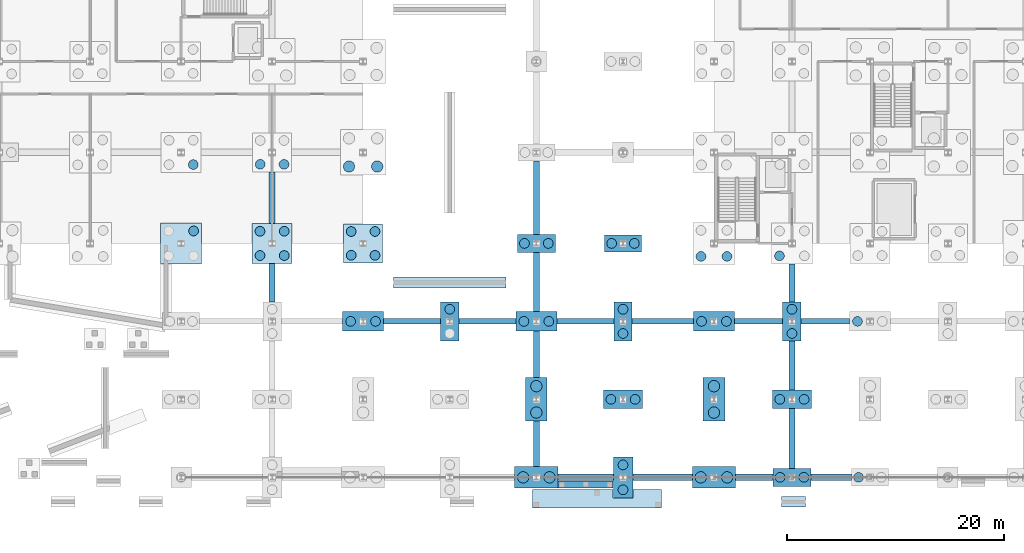
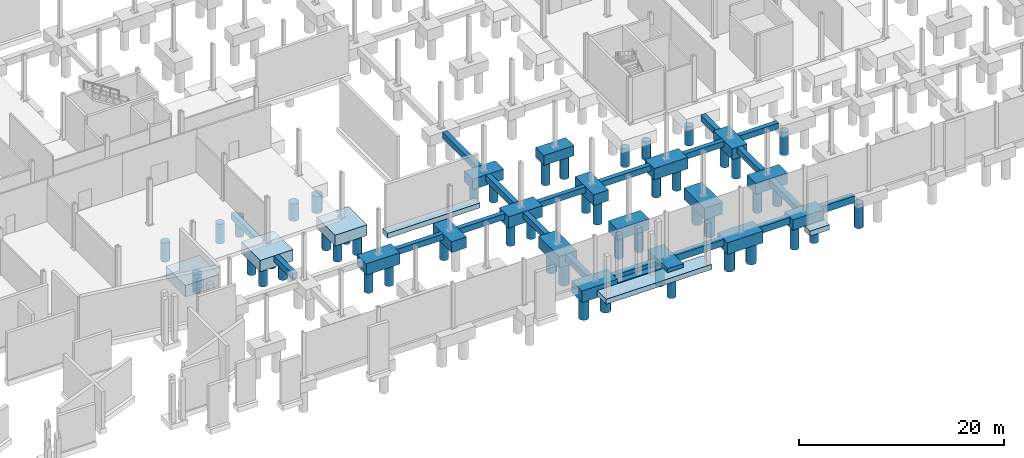
# One storey, part 4 of 61: 50 piles, 42 footings.
"""IFC4 building model written with IfcOpenShell, lengths in metres."""

import ifcopenshell
import ifcopenshell.guid

model = None  # the IFC model being written
_history = None  # IfcOwnerHistory: only IFC2X3 demands one
_inside = {}  # id of a spatial element -> (the spatial element, [elements in it])
_under = {}  # id of a project, library or spatial element -> (it, [spatial elements below it])
_declared = {}  # id of a project -> (the project, [libraries it declares])
_typed = {}  # id of a type object -> (the type object, [elements of that type])
_made_of = {}  # id of a material, layer set ... -> (it, [elements and type objects made of it])


def new_model(schema):
    """Start an empty IFC model of exactly this schema.

    Asked for "IFC4X3", IfcOpenShell would pick the latest addendum, in which some entities
    have other attributes; the version numbers below select the first issue.
    IFC2X3 requires an IfcOwnerHistory on every rooted entity: one is made here for all.
    """
    global model, _history
    if schema == "IFC4X3":
        model = ifcopenshell.file(schema_version=(4, 3, 0, 0))
    else:
        model = ifcopenshell.file(schema=schema)
    _inside.clear()
    _under.clear()
    _declared.clear()
    _typed.clear()
    _made_of.clear()
    _history = None
    if model.schema == "IFC2X3":
        org = make("IfcOrganization", Name="unknown")
        user = make(
            "IfcPersonAndOrganization",
            ThePerson=make("IfcPerson", FamilyName="unknown"),
            TheOrganization=org,
        )
        app = make(
            "IfcApplication",
            ApplicationDeveloper=org,
            Version="unknown",
            ApplicationFullName="unknown",
            ApplicationIdentifier="unknown",
        )
        _history = make(
            "IfcOwnerHistory",
            OwningUser=user,
            OwningApplication=app,
            ChangeAction="ADDED",
            CreationDate=0,
        )
    return model


def make(cls, **values):
    """One entity of the class cls with the attributes given. An attribute that is None is left unset."""
    return model.create_entity(
        cls, **{name: value for name, value in values.items() if value is not None}
    )


def rooted(cls, **values):
    """An entity with a GlobalId (a new one), such as an element, a storey or a relation."""
    return make(cls, GlobalId=ifcopenshell.guid.new(), OwnerHistory=_history, **values)


def si_unit(unit_type, name, prefix=None):
    """IfcSIUnit, for example si_unit("LENGTHUNIT", "METRE", prefix="MILLI")."""
    return make("IfcSIUnit", UnitType=unit_type, Prefix=prefix, Name=name)


def assignment(units):
    """IfcUnitAssignment: the units of a project."""
    return None if units is None else make("IfcUnitAssignment", Units=units)


def point(xyz):
    """IfcCartesianPoint."""
    return None if xyz is None else make("IfcCartesianPoint", Coordinates=xyz)


def direction(xyz):
    """IfcDirection."""
    return None if xyz is None else make("IfcDirection", DirectionRatios=xyz)


def frame(location, z_axis=None, x_axis=None):
    """IfcAxis2Placement3D, a coordinate frame: its origin and axes. An axis left out is left unset."""
    return make(
        "IfcAxis2Placement3D",
        Location=point(location),
        Axis=direction(z_axis),
        RefDirection=direction(x_axis),
    )


def frame_2d(location, x_axis=None):
    """IfcAxis2Placement2D, a coordinate frame in the plane: its origin and x axis."""
    return make(
        "IfcAxis2Placement2D", Location=point(location), RefDirection=direction(x_axis)
    )


def origin():
    """The frame at (0, 0, 0) with its axes left unset."""
    return frame((0.0, 0.0, 0.0))


def origin_2d():
    """The frame at (0, 0) in the plane with its x axis left unset."""
    return frame_2d((0.0, 0.0))


def place(relative_to, where):
    """IfcLocalPlacement: puts the frame where relative to a parent placement (None: the world)."""
    return make(
        "IfcLocalPlacement", PlacementRelTo=relative_to, RelativePlacement=where
    )


def context(
    kind, dimensions, precision=None, world=None, true_north=None, identifier=None
):
    """IfcGeometricRepresentationContext, for example the 3D "Model" context."""
    return make(
        "IfcGeometricRepresentationContext",
        ContextIdentifier=identifier,
        ContextType=kind,
        CoordinateSpaceDimension=dimensions,
        Precision=precision,
        WorldCoordinateSystem=world,
        TrueNorth=true_north,
    )


def subcontext(parent, identifier, kind, view, scale=None):
    """IfcGeometricRepresentationSubContext, for example "Body" below "Model"."""
    return make(
        "IfcGeometricRepresentationSubContext",
        ContextIdentifier=identifier,
        ContextType=kind,
        ParentContext=parent,
        TargetScale=scale,
        TargetView=view,
    )


def project(units=None, contexts=None):
    """IfcProject with its units and contexts."""
    return rooted(
        "IfcProject",
        Name="project",
        RepresentationContexts=contexts,
        UnitsInContext=assignment(units),
    )


def spatial(cls, under=None, at=None, **own):
    """A site, building, storey or space (cls), placed at a placement, below another one or the project."""
    s = rooted(cls, ObjectPlacement=at, **own)
    if under is not None:
        _under.setdefault(under.id(), (under, []))[1].append(s)
    return s


def polyline(points):
    """IfcPolyline through the points."""
    return make("IfcPolyline", Points=[point(p) for p in points])


def profile(cls, at=None, kind="AREA", **sizes):
    """A parametric profile (cls). Its sizes go by their IFC names, for example OverallWidth=200.0."""
    return make(cls, ProfileType=kind, Position=at, **sizes)


def rectangle(**sizes):
    """IfcRectangleProfileDef."""
    return profile("IfcRectangleProfileDef", **sizes)


def circle(**sizes):
    """IfcCircleProfileDef."""
    return profile("IfcCircleProfileDef", **sizes)


def outline(outer, holes=None, kind="AREA"):
    """IfcArbitraryClosedProfileDef: a profile drawn as a closed curve; with holes, ...WithVoids."""
    if holes is None:
        return make("IfcArbitraryClosedProfileDef", ProfileType=kind, OuterCurve=outer)
    return make(
        "IfcArbitraryProfileDefWithVoids",
        ProfileType=kind,
        OuterCurve=outer,
        InnerCurves=holes,
    )


def extrude(swept, where, along, depth):
    """IfcExtrudedAreaSolid: the profile swept, set in the frame where, extruded along a direction by depth."""
    return make(
        "IfcExtrudedAreaSolid",
        SweptArea=swept,
        Position=where,
        ExtrudedDirection=direction(along),
        Depth=depth,
    )


def shape(context_of_items, identifier, shape_type, items):
    """IfcShapeRepresentation: the items that make up one representation, for example the "Body"."""
    return make(
        "IfcShapeRepresentation",
        ContextOfItems=context_of_items,
        RepresentationIdentifier=identifier,
        RepresentationType=shape_type,
        Items=items,
    )


def material(Name=None, Category=None):
    """IfcMaterial."""
    return make("IfcMaterial", Name=Name, Category=Category)


def material_profile(
    of_material, cross_section, Name=None, Category=None, Priority=None
):
    """IfcMaterialProfile: a cross section and its material."""
    return make(
        "IfcMaterialProfile",
        Name=Name,
        Material=of_material,
        Profile=cross_section,
        Priority=Priority,
        Category=Category,
    )


def profile_set(profiles, Name=None, composite=None):
    """IfcMaterialProfileSet."""
    return make(
        "IfcMaterialProfileSet",
        Name=Name,
        MaterialProfiles=profiles,
        CompositeProfile=composite,
    )


def made_of(thing, what):
    """Note that an element or type object is made of a material, layer set ...; save() writes the relation."""
    if what is not None:
        _made_of.setdefault(what.id(), (what, []))[1].append(thing)
    return thing


def type_object(cls, material=None, **own):
    """A type object (cls), such as IfcWallType, which elements share."""
    return made_of(rooted(cls, **own), material)


def element(
    cls,
    number,
    at=None,
    inside=None,
    cuts=None,
    type_object=None,
    material=None,
    context=None,
    identifier="Body",
    shape_type=None,
    held_by="IfcProductDefinitionShape",
    body=None,
    shapes=None,
    **own,
):
    """One element of the class cls, such as IfcWall. Its Tag is "e" and its number.

    at: its placement. inside: the storey or other place that contains it. cuts: it is an
    opening in that element (IfcRelVoidsElement). A single representation is given by context,
    identifier, shape_type and body (its items); several are given by shapes. held_by: the class
    of the entity that holds the representations. save() writes the other relations.
    """
    e = rooted(cls, Tag="e%d" % number, ObjectPlacement=at, **own)
    if body is not None:
        shapes = [shape(context, identifier, shape_type, body)]
    if shapes is not None:
        e.Representation = make(held_by, Representations=shapes)
    if inside is not None:
        _inside.setdefault(inside.id(), (inside, []))[1].append(e)
    if cuts is not None:
        rooted(
            "IfcRelVoidsElement", RelatingBuildingElement=cuts, RelatedOpeningElement=e
        )
    if type_object is not None:
        _typed.setdefault(type_object.id(), (type_object, []))[1].append(e)
    return made_of(e, material)


def aggregate(whole, parts):
    """IfcRelAggregates: a whole, such as a stair, and the parts it consists of."""
    return rooted("IfcRelAggregates", RelatingObject=whole, RelatedObjects=parts)


def save(model, path):
    """Write the relations noted so far, then the file.

    IfcRelAggregates (storeys below a building ...), IfcRelContainedInSpatialStructure (elements
    in a storey), IfcRelDefinesByType, IfcRelAssociatesMaterial and IfcRelDeclares: one each for
    every whole, place, type object, material and project.
    """
    for whole, parts in _under.values():
        aggregate(whole, parts)
    for where, things in _inside.values():
        rooted(
            "IfcRelContainedInSpatialStructure",
            RelatedElements=things,
            RelatingStructure=where,
        )
    for kind, things in _typed.values():
        rooted("IfcRelDefinesByType", RelatedObjects=things, RelatingType=kind)
    for what, things in _made_of.values():
        rooted("IfcRelAssociatesMaterial", RelatedObjects=things, RelatingMaterial=what)
    for by, libraries in _declared.values():
        rooted("IfcRelDeclares", RelatingContext=by, RelatedDefinitions=libraries)
    model.write(path)


model = new_model("IFC4")

# Units and contexts
model_context = context("Model", 3, precision=1e-05, world=origin(), true_north=direction((0.0, 1.0)))
body_context = subcontext(model_context, "Body", "Model", "MODEL_VIEW")
ifc_project = project(units=[si_unit("LENGTHUNIT", "METRE"), si_unit("AREAUNIT", "SQUARE_METRE"), si_unit("VOLUMEUNIT", "CUBIC_METRE"), si_unit("PLANEANGLEUNIT", "RADIAN"), si_unit("MASSUNIT", "GRAM", prefix="KILO")], contexts=[model_context])

# Site, building, storey
site_placement = place(None, origin())
site = spatial("IfcSite", under=ifc_project, at=site_placement, CompositionType="ELEMENT")
building_placement = place(site_placement, origin())
building = spatial("IfcBuilding", under=site, at=building_placement, Name="Calvrana Isthmian Art Gallery", CompositionType="ELEMENT")
storey_placement = place(building_placement, frame((0.0, 0.0, -5.39990234375)))
storey = spatial("IfcBuildingStorey", under=building, at=storey_placement, Name="B1", CompositionType="ELEMENT", Elevation=-5.39990234375)

# Footings
ifc_material = material(Name="Concrete C35/45", Category="concrete")
footing_type_1 = type_object("IfcFootingType", Name="FT-PAD-APRON", PredefinedType="PAD_FOOTING", material=ifc_material)
footing_1_placement = place(storey_placement, frame((0.0, 0.0, -1.050048828125)))
element("IfcFooting", 1, at=footing_1_placement, inside=storey, type_object=footing_type_1, Name="Apron pad footing SLB_APR_SE_INNER", PredefinedType="PAD_FOOTING", context=body_context, shape_type="SweptSolid", body=[
    extrude(outline(polyline([(103.47998046875, -0.320068359375), (103.47998046875, -1.0), (98.419921875, -1.0), (98.419921875, -0.320068359375), (103.47998046875, -0.320068359375)])), origin(), (0.0, 0.0, 1.0), 0.599853515625),
])
footing_2_placement = place(storey_placement, frame((0.0, 0.0, -1.050048828125)))
element("IfcFooting", 2, at=footing_2_placement, inside=storey, type_object=footing_type_1, Name="Apron pad footing SLB_APR_SE_BENCH", PredefinedType="PAD_FOOTING", context=body_context, shape_type="SweptSolid", body=[
    extrude(outline(polyline([(107.949951171875, -1.10009765625), (107.949951171875, -2.85009765625), (96.050048828125, -2.85009765625), (96.050048828125, -1.10009765625), (103.47998046875, -1.10009765625), (103.47998046875, -1.919921875), (105.320068359375, -1.919921875), (105.320068359375, -1.10009765625), (107.949951171875, -1.10009765625)])), origin(), (0.0, 0.0, 1.0), 0.599853515625),
])
footing_type_2 = type_object("IfcFootingType", Name="FT-PC-170X360X130", PredefinedType="PILE_CAP", material=ifc_material)
for number, where, z_axis, x_axis, name in (
    (3, (88.39990234375, 14.39990234375, -1.30029296875), (0.0, 0.0, 1.0), (1.0, 0.0, 0.0), "Pile cap 12/C"),
    (4, (104.39990234375, 14.39990234375, -1.30029296875), (0.0, 0.0, 1.0), (1.0, 0.0, 0.0), "Pile cap 14/C"),
    (5, (120.0, 14.39990234375, -1.30029296875), (0.0, 0.0, 1.0), (1.0, 0.0, 0.0), "Pile cap 16/C"),
):
    element("IfcFooting", number, at=place(storey_placement, frame(where, z_axis=z_axis, x_axis=x_axis)), inside=storey, type_object=footing_type_2, Name=name, PredefinedType="PILE_CAP", context=body_context, shape_type="SweptSolid", body=[
        extrude(rectangle(XDim=1.699951171875, YDim=3.60009765625, at=origin_2d()), origin(), (0.0, 0.0, 1.0), 1.300048828125),
    ])
footing_type_3 = type_object("IfcFootingType", Name="FT-PC-180X380X135", PredefinedType="PILE_CAP", material=ifc_material)
footing_3_placement = place(storey_placement, frame((104.39990234375, 0.0, -1.35009765625), z_axis=(0.0, 0.0, 1.0), x_axis=(1.0, 0.0, 0.0)))
element("IfcFooting", 6, at=footing_3_placement, inside=storey, type_object=footing_type_3, Name="Pile cap 14/A", PredefinedType="PILE_CAP", context=body_context, shape_type="SweptSolid", body=[
    extrude(rectangle(XDim=1.800048828125, YDim=3.800048828125, at=origin_2d()), origin(), (0.0, 0.0, 1.0), 1.35009765625),
])
footing_type_4 = type_object("IfcFootingType", Name="FT-PC-200X400X140", PredefinedType="PILE_CAP", material=ifc_material)
for number, where, z_axis, x_axis, name in (
    (7, (96.39990234375, 7.199951171875, -1.400146484375), (0.0, 0.0, 1.0), (1.0, 0.0, 0.0), "Pile cap 13/B"),
    (8, (112.800048828125, 7.199951171875, -1.400146484375), (0.0, 0.0, 1.0), (1.0, 0.0, 0.0), "Pile cap 15/B"),
):
    element("IfcFooting", number, at=place(storey_placement, frame(where, z_axis=z_axis, x_axis=x_axis)), inside=storey, type_object=footing_type_4, Name=name, PredefinedType="PILE_CAP", context=body_context, shape_type="SweptSolid", body=[
        extrude(rectangle(XDim=2.0, YDim=4.0, at=origin_2d()), origin(), (0.0, 0.0, 1.0), 1.39990234375),
    ])
footing_type_5 = type_object("IfcFootingType", Name="FT-PC-340X160X120", PredefinedType="PILE_CAP", material=ifc_material)
footing_4_placement = place(storey_placement, frame((104.39990234375, 21.60009765625, -1.2001953125), z_axis=(0.0, 0.0, 1.0), x_axis=(1.0, 0.0, 0.0)))
element("IfcFooting", 9, at=footing_4_placement, inside=storey, type_object=footing_type_5, Name="Pile cap 14/D", PredefinedType="PILE_CAP", context=body_context, shape_type="SweptSolid", body=[
    extrude(rectangle(XDim=3.39990234375, YDim=1.60009765625, at=origin_2d()), origin(), (0.0, 0.0, 1.0), 1.199951171875),
])
footing_type_6 = type_object("IfcFootingType", Name="FT-PC-350X165X125", PredefinedType="PILE_CAP", material=ifc_material)
for number, where, z_axis, x_axis, name in (
    (10, (96.39990234375, 21.60009765625, -1.25), (0.0, 0.0, 1.0), (1.0, 0.0, 0.0), "Pile cap 13/D"),
    (11, (120.0, 0.0, -1.25), (0.0, 0.0, 1.0), (1.0, 0.0, 0.0), "Pile cap 16/A"),
):
    element("IfcFooting", number, at=place(storey_placement, frame(where, z_axis=z_axis, x_axis=x_axis)), inside=storey, type_object=footing_type_6, Name=name, PredefinedType="PILE_CAP", context=body_context, shape_type="SweptSolid", body=[
        extrude(rectangle(XDim=3.5, YDim=1.64990234375, at=origin_2d()), origin(), (0.0, 0.0, 1.0), 1.25),
    ])
footing_type_7 = type_object("IfcFootingType", Name="FT-PC-360X170X130", PredefinedType="PILE_CAP", material=ifc_material)
for number, where, z_axis, x_axis, name in (
    (12, (104.39990234375, 7.199951171875, -1.30029296875), (0.0, 0.0, 1.0), (1.0, 0.0, 0.0), "Pile cap 14/B"),
    (13, (120.0, 7.199951171875, -1.30029296875), (0.0, 0.0, 1.0), (1.0, 0.0, 0.0), "Pile cap 16/B"),
):
    element("IfcFooting", number, at=place(storey_placement, frame(where, z_axis=z_axis, x_axis=x_axis)), inside=storey, type_object=footing_type_7, Name=name, PredefinedType="PILE_CAP", context=body_context, shape_type="SweptSolid", body=[
        extrude(rectangle(XDim=3.60009765625, YDim=1.699951171875, at=origin_2d()), origin(), (0.0, 0.0, 1.0), 1.300048828125),
    ])
footing_type_8 = type_object("IfcFootingType", Name="FT-PC-360X360X130", PredefinedType="PILE_CAP", material=ifc_material)
footing_5_placement = place(storey_placement, frame((80.39990234375, 21.60009765625, -1.75), z_axis=(0.0, 0.0, 1.0), x_axis=(1.0, 0.0, 0.0)))
element("IfcFooting", 14, at=footing_5_placement, inside=storey, type_object=footing_type_8, Name="Pile cap 11/D", PredefinedType="PILE_CAP", context=body_context, shape_type="SweptSolid", body=[
    extrude(rectangle(XDim=3.60009765625, YDim=3.60009765625, at=origin_2d()), origin(), (0.0, 0.0, 1.0), 1.300048828125),
])
footing_type_9 = type_object("IfcFootingType", Name="FT-PC-370X370X135", PredefinedType="PILE_CAP", material=ifc_material)
footing_6_placement = place(storey_placement, frame((72.0, 21.60009765625, -1.800048828125), z_axis=(0.0, 0.0, 1.0), x_axis=(1.0, 0.0, 0.0)))
element("IfcFooting", 15, at=footing_6_placement, inside=storey, type_object=footing_type_9, Name="Pile cap 10/D", PredefinedType="PILE_CAP", context=body_context, shape_type="SweptSolid", body=[
    extrude(rectangle(XDim=3.699951171875, YDim=3.699951171875, at=origin_2d()), origin(), (0.0, 0.0, 1.0), 1.35009765625),
])
footing_type_10 = type_object("IfcFootingType", Name="FT-PC-380X180X135", PredefinedType="PILE_CAP", material=ifc_material)
for number, where, z_axis, x_axis, name in (
    (16, (80.39990234375, 14.39990234375, -1.35009765625), (0.0, 0.0, 1.0), (1.0, 0.0, 0.0), "Pile cap 11/C"),
    (17, (96.39990234375, 14.39990234375, -1.35009765625), (0.0, 0.0, 1.0), (1.0, 0.0, 0.0), "Pile cap 13/C"),
    (18, (112.800048828125, 14.39990234375, -1.35009765625), (0.0, 0.0, 1.0), (1.0, 0.0, 0.0), "Pile cap 15/C"),
):
    element("IfcFooting", number, at=place(storey_placement, frame(where, z_axis=z_axis, x_axis=x_axis)), inside=storey, type_object=footing_type_10, Name=name, PredefinedType="PILE_CAP", context=body_context, shape_type="SweptSolid", body=[
        extrude(rectangle(XDim=3.800048828125, YDim=1.800048828125, at=origin_2d()), origin(), (0.0, 0.0, 1.0), 1.35009765625),
    ])
footing_type_11 = type_object("IfcFootingType", Name="FT-PC-380X380X140", PredefinedType="PILE_CAP", material=ifc_material)
footing_7_placement = place(storey_placement, frame((63.60009765625, 21.60009765625, -1.85009765625), z_axis=(0.0, 0.0, 1.0), x_axis=(1.0, 0.0, 0.0)))
element("IfcFooting", 19, at=footing_7_placement, inside=storey, type_object=footing_type_11, Name="Pile cap 09/D", PredefinedType="PILE_CAP", context=body_context, shape_type="SweptSolid", body=[
    extrude(rectangle(XDim=3.800048828125, YDim=3.800048828125, at=origin_2d()), origin(), (0.0, 0.0, 1.0), 1.39990234375),
])
footing_type_12 = type_object("IfcFootingType", Name="FT-PC-400X200X140", PredefinedType="PILE_CAP", material=ifc_material)
for number, where, z_axis, x_axis, name in (
    (20, (96.39990234375, 0.0, -1.400146484375), (0.0, 0.0, 1.0), (1.0, 0.0, 0.0), "Pile cap 13/A"),
    (21, (112.800048828125, 0.0, -1.400146484375), (0.0, 0.0, 1.0), (1.0, 0.0, 0.0), "Pile cap 15/A"),
):
    element("IfcFooting", number, at=place(storey_placement, frame(where, z_axis=z_axis, x_axis=x_axis)), inside=storey, type_object=footing_type_12, Name=name, PredefinedType="PILE_CAP", context=body_context, shape_type="SweptSolid", body=[
        extrude(rectangle(XDim=4.0, YDim=2.0, at=origin_2d()), origin(), (0.0, 0.0, 1.0), 1.39990234375),
    ])
footing_type_13 = type_object("IfcFootingType", Name="FT-SF-1000X600", PredefinedType="STRIP_FOOTING", material=ifc_material)
footing_8_placement = place(storey_placement, frame((0.0, 0.0, -1.050048828125)))
element("IfcFooting", 22, at=footing_8_placement, inside=storey, type_object=footing_type_13, Name="Cloister court retaining wall S strip footing", PredefinedType="STRIP_FOOTING", context=body_context, shape_type="SweptSolid", body=[
    extrude(outline(polyline([(83.199951171875, 17.5), (93.60009765625, 17.5), (93.60009765625, 18.5), (83.199951171875, 18.5), (83.199951171875, 17.5)])), origin(), (0.0, 0.0, 1.0), 0.599853515625),
])
footing_9_placement = place(storey_placement, frame((0.0, 0.0, -1.050048828125)))
element("IfcFooting", 23, at=footing_9_placement, inside=storey, type_object=footing_type_13, Name="Apron grade wall SLB_APR_SE_E-A strip footing", PredefinedType="STRIP_FOOTING", context=body_context, shape_type="SweptSolid", body=[
    extrude(outline(polyline([(119.0439453125, -2.75), (121.243896484375, -2.75), (121.243896484375, -1.75), (119.0439453125, -1.75), (119.0439453125, -2.75)])), origin(), (0.0, 0.0, 1.0), 0.599853515625),
])
footing_type_14 = type_object("IfcFootingType", Name="FT-TB-500X700", PredefinedType="FOOTING_BEAM", material=ifc_material)
footing_10_placement = place(storey_placement, frame((0.0, 0.0, -0.7001953125)))
element("IfcFooting", 24, at=footing_10_placement, inside=storey, type_object=footing_type_14, Name="Footing tie beam X 10-02", PredefinedType="FOOTING_BEAM", context=body_context, shape_type="SweptSolid", body=[
    extrude(outline(polyline([(82.300048828125, 14.14990234375), (87.550048828125, 14.14990234375), (87.550048828125, 14.64990234375), (82.300048828125, 14.64990234375), (82.300048828125, 14.14990234375)])), origin(), (0.0, 0.0, 1.0), 0.7001953125),
])
footing_11_placement = place(storey_placement, frame((0.0, 0.0, -0.7001953125)))
element("IfcFooting", 25, at=footing_11_placement, inside=storey, type_object=footing_type_14, Name="Footing tie beam X 11-02", PredefinedType="FOOTING_BEAM", context=body_context, shape_type="SweptSolid", body=[
    extrude(outline(polyline([(89.25, 14.14990234375), (94.5, 14.14990234375), (94.5, 14.64990234375), (89.25, 14.64990234375), (89.25, 14.14990234375)])), origin(), (0.0, 0.0, 1.0), 0.7001953125),
])
footing_12_placement = place(storey_placement, frame((0.0, 0.0, -0.7001953125)))
element("IfcFooting", 26, at=footing_12_placement, inside=storey, type_object=footing_type_14, Name="Footing tie beam X 12-02", PredefinedType="FOOTING_BEAM", context=body_context, shape_type="SweptSolid", body=[
    extrude(outline(polyline([(98.300048828125, 14.14990234375), (103.550048828125, 14.14990234375), (103.550048828125, 14.64990234375), (98.300048828125, 14.64990234375), (98.300048828125, 14.14990234375)])), origin(), (0.0, 0.0, 1.0), 0.7001953125),
])
footing_13_placement = place(storey_placement, frame((0.0, 0.0, -0.7001953125)))
element("IfcFooting", 27, at=footing_13_placement, inside=storey, type_object=footing_type_14, Name="Footing tie beam X 13-02", PredefinedType="FOOTING_BEAM", context=body_context, shape_type="SweptSolid", body=[
    extrude(outline(polyline([(105.25, 14.14990234375), (110.89990234375, 14.14990234375), (110.89990234375, 14.64990234375), (105.25, 14.64990234375), (105.25, 14.14990234375)])), origin(), (0.0, 0.0, 1.0), 0.7001953125),
])
footing_14_placement = place(storey_placement, frame((0.0, 0.0, -0.7001953125)))
element("IfcFooting", 28, at=footing_14_placement, inside=storey, type_object=footing_type_14, Name="Footing tie beam X 14-02", PredefinedType="FOOTING_BEAM", context=body_context, shape_type="SweptSolid", body=[
    extrude(outline(polyline([(114.699951171875, 14.14990234375), (119.14990234375, 14.14990234375), (119.14990234375, 14.64990234375), (114.699951171875, 14.64990234375), (114.699951171875, 14.14990234375)])), origin(), (0.0, 0.0, 1.0), 0.7001953125),
])
footing_15_placement = place(storey_placement, frame((0.0, 0.0, -0.7001953125)))
element("IfcFooting", 29, at=footing_15_placement, inside=storey, type_object=footing_type_14, Name="Footing tie beam X 15-02", PredefinedType="FOOTING_BEAM", context=body_context, shape_type="SweptSolid", body=[
    extrude(outline(polyline([(120.85009765625, 14.14990234375), (125.300048828125, 14.14990234375), (125.300048828125, 14.64990234375), (120.85009765625, 14.64990234375), (120.85009765625, 14.14990234375)])), origin(), (0.0, 0.0, 1.0), 0.7001953125),
])
footing_type_15 = type_object("IfcFootingType", Name="FT-TB-550X750", PredefinedType="FOOTING_BEAM", material=ifc_material)
footing_16_placement = place(storey_placement, frame((0.0, 0.0, -1.2001953125)))
element("IfcFooting", 30, at=footing_16_placement, inside=storey, type_object=footing_type_15, Name="Footing tie beam Y 09-02", PredefinedType="FOOTING_BEAM", context=body_context, shape_type="SweptSolid", body=[
    extrude(outline(polyline([(71.72509765625, 16.199951171875), (72.27490234375, 16.199951171875), (72.27490234375, 19.75), (71.72509765625, 19.75), (71.72509765625, 16.199951171875)])), origin(), (0.0, 0.0, 1.0), 0.75),
])
footing_17_placement = place(storey_placement, frame((0.0, 0.0, -1.2001953125)))
element("IfcFooting", 31, at=footing_17_placement, inside=storey, type_object=footing_type_15, Name="Footing tie beam Y 09-03", PredefinedType="FOOTING_BEAM", context=body_context, shape_type="SweptSolid", body=[
    extrude(outline(polyline([(71.72509765625, 23.449951171875), (72.27490234375, 23.449951171875), (72.27490234375, 28.199951171875), (71.72509765625, 28.199951171875), (71.72509765625, 23.449951171875)])), origin(), (0.0, 0.0, 1.0), 0.75),
])
footing_18_placement = place(storey_placement, frame((0.0, 0.0, -0.75)))
element("IfcFooting", 32, at=footing_18_placement, inside=storey, type_object=footing_type_15, Name="Footing tie beam Y 12-00", PredefinedType="FOOTING_BEAM", context=body_context, shape_type="SweptSolid", body=[
    extrude(outline(polyline([(96.125, 1.0), (96.675048828125, 1.0), (96.675048828125, 5.199951171875), (96.125, 5.199951171875), (96.125, 1.0)])), origin(), (0.0, 0.0, 1.0), 0.75),
])
footing_19_placement = place(storey_placement, frame((0.0, 0.0, -0.75)))
element("IfcFooting", 33, at=footing_19_placement, inside=storey, type_object=footing_type_15, Name="Footing tie beam Y 12-01", PredefinedType="FOOTING_BEAM", context=body_context, shape_type="SweptSolid", body=[
    extrude(outline(polyline([(96.125, 9.199951171875), (96.675048828125, 9.199951171875), (96.675048828125, 13.5), (96.125, 13.5), (96.125, 9.199951171875)])), origin(), (0.0, 0.0, 1.0), 0.75),
])
footing_20_placement = place(storey_placement, frame((0.0, 0.0, -0.75)))
element("IfcFooting", 34, at=footing_20_placement, inside=storey, type_object=footing_type_15, Name="Footing tie beam Y 12-02", PredefinedType="FOOTING_BEAM", context=body_context, shape_type="SweptSolid", body=[
    extrude(outline(polyline([(96.125, 15.300048828125), (96.675048828125, 15.300048828125), (96.675048828125, 20.77490234375), (96.125, 20.77490234375), (96.125, 15.300048828125)])), origin(), (0.0, 0.0, 1.0), 0.75),
])
footing_21_placement = place(storey_placement, frame((0.0, 0.0, -0.75)))
element("IfcFooting", 35, at=footing_21_placement, inside=storey, type_object=footing_type_15, Name="Footing tie beam Y 12-03", PredefinedType="FOOTING_BEAM", context=body_context, shape_type="SweptSolid", body=[
    extrude(outline(polyline([(96.125, 22.425048828125), (96.675048828125, 22.425048828125), (96.675048828125, 29.199951171875), (96.125, 29.199951171875), (96.125, 22.425048828125)])), origin(), (0.0, 0.0, 1.0), 0.75),
])
footing_22_placement = place(storey_placement, frame((0.0, 0.0, -0.75)))
element("IfcFooting", 36, at=footing_22_placement, inside=storey, type_object=footing_type_15, Name="Footing tie beam Y 15-00", PredefinedType="FOOTING_BEAM", context=body_context, shape_type="SweptSolid", body=[
    extrude(outline(polyline([(119.72509765625, 0.824951171875), (120.27490234375, 0.824951171875), (120.27490234375, 6.35009765625), (119.72509765625, 6.35009765625), (119.72509765625, 0.824951171875)])), origin(), (0.0, 0.0, 1.0), 0.75),
])
footing_23_placement = place(storey_placement, frame((0.0, 0.0, -0.75)))
element("IfcFooting", 37, at=footing_23_placement, inside=storey, type_object=footing_type_15, Name="Footing tie beam Y 15-01", PredefinedType="FOOTING_BEAM", context=body_context, shape_type="SweptSolid", body=[
    extrude(outline(polyline([(119.72509765625, 8.050048828125), (120.27490234375, 8.050048828125), (120.27490234375, 12.60009765625), (119.72509765625, 12.60009765625), (119.72509765625, 8.050048828125)])), origin(), (0.0, 0.0, 1.0), 0.75),
])
footing_24_placement = place(storey_placement, frame((0.0, 0.0, -1.2001953125)))
element("IfcFooting", 38, at=footing_24_placement, inside=storey, type_object=footing_type_15, Name="Footing tie beam Y 15-02", PredefinedType="FOOTING_BEAM", context=body_context, shape_type="SweptSolid", body=[
    extrude(outline(polyline([(119.72509765625, 16.199951171875), (120.27490234375, 16.199951171875), (120.27490234375, 19.699951171875), (119.72509765625, 19.699951171875), (119.72509765625, 16.199951171875)])), origin(), (0.0, 0.0, 1.0), 0.75),
])
footing_type_16 = type_object("IfcFootingType", Name="FT-TB-600X800", PredefinedType="FOOTING_BEAM", material=ifc_material)
footing_25_placement = place(storey_placement, frame((0.0, 0.0, -0.800048828125)))
element("IfcFooting", 39, at=footing_25_placement, inside=storey, type_object=footing_type_16, Name="Footing tie beam X 12-00", PredefinedType="FOOTING_BEAM", context=body_context, shape_type="SweptSolid", body=[
    extrude(outline(polyline([(98.39990234375, -0.300048828125), (103.5, -0.300048828125), (103.5, 0.300048828125), (98.39990234375, 0.300048828125), (98.39990234375, -0.300048828125)])), origin(), (0.0, 0.0, 1.0), 0.800048828125),
])
footing_26_placement = place(storey_placement, frame((0.0, 0.0, -0.800048828125)))
element("IfcFooting", 40, at=footing_26_placement, inside=storey, type_object=footing_type_16, Name="Footing tie beam X 13-00", PredefinedType="FOOTING_BEAM", context=body_context, shape_type="SweptSolid", body=[
    extrude(outline(polyline([(105.300048828125, -0.300048828125), (110.800048828125, -0.300048828125), (110.800048828125, 0.300048828125), (105.300048828125, 0.300048828125), (105.300048828125, -0.300048828125)])), origin(), (0.0, 0.0, 1.0), 0.800048828125),
])
footing_27_placement = place(storey_placement, frame((0.0, 0.0, -0.800048828125)))
element("IfcFooting", 41, at=footing_27_placement, inside=storey, type_object=footing_type_16, Name="Footing tie beam X 14-00", PredefinedType="FOOTING_BEAM", context=body_context, shape_type="SweptSolid", body=[
    extrude(outline(polyline([(114.800048828125, -0.300048828125), (118.25, -0.300048828125), (118.25, 0.300048828125), (114.800048828125, 0.300048828125), (114.800048828125, -0.300048828125)])), origin(), (0.0, 0.0, 1.0), 0.800048828125),
])
footing_28_placement = place(storey_placement, frame((0.0, 0.0, -0.800048828125)))
element("IfcFooting", 42, at=footing_28_placement, inside=storey, type_object=footing_type_16, Name="Footing tie beam X 15-00", PredefinedType="FOOTING_BEAM", context=body_context, shape_type="SweptSolid", body=[
    extrude(outline(polyline([(121.75, -0.300048828125), (125.5, -0.300048828125), (125.5, 0.300048828125), (121.75, 0.300048828125), (121.75, -0.300048828125)])), origin(), (0.0, 0.0, 1.0), 0.800048828125),
])

# Piles
ifc_material_profile_1 = material_profile(ifc_material, circle(Radius=0.52490234375, at=origin_2d()), Name="PILE1050D")
ifc_profile_set_1 = profile_set([ifc_material_profile_1], Name="Concrete C35/45")
pile_type_1 = type_object("IfcPileType", Name="PILE-D1050", PredefinedType="BORED", material=ifc_profile_set_1)
for number, where, z_axis, x_axis, name in (
    (43, (79.10009765625, 28.699951171875, -1.9501953125), (0.0, 0.0, -1.0), (1.0, 0.0, 0.0), "Bored pile PL-265"),
    (44, (81.699951171875, 28.699951171875, -1.9501953125), (0.0, 0.0, -1.0), (1.0, 0.0, 0.0), "Bored pile PL-266"),
):
    element("IfcPile", number, at=place(storey_placement, frame(where, z_axis=z_axis, x_axis=x_axis)), inside=storey, type_object=pile_type_1, Name=name, PredefinedType="BORED", context=body_context, shape_type="SweptSolid", body=[
        extrude(circle(Radius=0.52490234375, at=origin_2d()), origin(), (0.0, 0.0, 1.0), 2.050048828125),
    ])
for number, where, z_axis, x_axis, name in (
    (45, (95.179931640625, 0.0, -1.300048828125), (0.0, 0.0, -1.0), (1.0, 0.0, 0.0), "Bored pile PL-293"),
    (46, (97.6201171875, 0.0, -1.300048828125), (0.0, 0.0, -1.0), (1.0, 0.0, 0.0), "Bored pile PL-294"),
    (47, (96.39990234375, 5.97998046875, -1.300048828125), (0.0, 0.0, -1.0), (1.0, 0.0, 0.0), "Bored pile PL-295"),
    (48, (96.39990234375, 8.419921875, -1.300048828125), (0.0, 0.0, -1.0), (1.0, 0.0, 0.0), "Bored pile PL-296"),
    (49, (111.580078125, 0.0, -1.300048828125), (0.0, 0.0, -1.0), (1.0, 0.0, 0.0), "Bored pile PL-335"),
    (50, (114.02001953125, 0.0, -1.300048828125), (0.0, 0.0, -1.0), (1.0, 0.0, 0.0), "Bored pile PL-336"),
    (51, (112.800048828125, 5.97998046875, -1.300048828125), (0.0, 0.0, -1.0), (1.0, 0.0, 0.0), "Bored pile PL-337"),
    (52, (112.800048828125, 8.419921875, -1.300048828125), (0.0, 0.0, -1.0), (1.0, 0.0, 0.0), "Bored pile PL-338"),
):
    element("IfcPile", number, at=place(storey_placement, frame(where, z_axis=z_axis, x_axis=x_axis)), inside=storey, type_object=pile_type_1, Name=name, PredefinedType="BORED", context=body_context, shape_type="SweptSolid", body=[
        extrude(circle(Radius=0.52490234375, at=origin_2d()), origin(), (0.0, 0.0, 1.0), 2.699951171875),
    ])
ifc_material_profile_2 = material_profile(ifc_material, circle(Radius=0.449951171875, at=origin_2d()), Name="PILE900D")
ifc_profile_set_2 = profile_set([ifc_material_profile_2], Name="Concrete C35/45")
pile_type_2 = type_object("IfcPileType", Name="PILE-D900", PredefinedType="BORED", material=ifc_profile_set_2)
pile_1_placement = place(storey_placement, frame((64.75, 22.75, -1.75), z_axis=(0.0, 0.0, -1.0), x_axis=(1.0, 0.0, 0.0)))
element("IfcPile", 53, at=pile_1_placement, inside=storey, type_object=pile_type_2, Name="Bored pile PL-193", PredefinedType="BORED", context=body_context, shape_type="SweptSolid", body=[
    extrude(circle(Radius=0.449951171875, at=origin_2d()), origin(), (0.0, 0.0, 1.0), 2.25),
])
for number, where, z_axis, x_axis, name in (
    (54, (64.719970703125, 28.8798828125, -1.7001953125), (0.0, 0.0, -1.0), (1.0, 0.0, 0.0), "Bored pile PL-195"),
    (55, (70.8798828125, 20.47998046875, -1.7001953125), (0.0, 0.0, -1.0), (1.0, 0.0, 0.0), "Bored pile PL-230"),
    (56, (73.1201171875, 20.47998046875, -1.7001953125), (0.0, 0.0, -1.0), (1.0, 0.0, 0.0), "Bored pile PL-231"),
    (57, (70.8798828125, 22.719970703125, -1.7001953125), (0.0, 0.0, -1.0), (1.0, 0.0, 0.0), "Bored pile PL-232"),
    (58, (73.1201171875, 22.719970703125, -1.7001953125), (0.0, 0.0, -1.0), (1.0, 0.0, 0.0), "Bored pile PL-233"),
):
    element("IfcPile", number, at=place(storey_placement, frame(where, z_axis=z_axis, x_axis=x_axis)), inside=storey, type_object=pile_type_2, Name=name, PredefinedType="BORED", context=body_context, shape_type="SweptSolid", body=[
        extrude(circle(Radius=0.449951171875, at=origin_2d()), origin(), (0.0, 0.0, 1.0), 2.300048828125),
    ])
for number, where, z_axis, x_axis, name in (
    (59, (70.89990234375, 28.89990234375, -1.650146484375), (0.0, 0.0, -1.0), (1.0, 0.0, 0.0), "Bored pile PL-234"),
    (60, (73.10009765625, 28.89990234375, -1.650146484375), (0.0, 0.0, -1.0), (1.0, 0.0, 0.0), "Bored pile PL-235"),
):
    element("IfcPile", number, at=place(storey_placement, frame(where, z_axis=z_axis, x_axis=x_axis)), inside=storey, type_object=pile_type_2, Name=name, PredefinedType="BORED", context=body_context, shape_type="SweptSolid", body=[
        extrude(circle(Radius=0.449951171875, at=origin_2d()), origin(), (0.0, 0.0, 1.0), 2.35009765625),
    ])
for number, where, z_axis, x_axis, name in (
    (61, (79.25, 14.39990234375, -1.25), (0.0, 0.0, -1.0), (1.0, 0.0, 0.0), "Bored pile PL-259"),
    (62, (81.550048828125, 14.39990234375, -1.25), (0.0, 0.0, -1.0), (1.0, 0.0, 0.0), "Bored pile PL-260"),
):
    element("IfcPile", number, at=place(storey_placement, frame(where, z_axis=z_axis, x_axis=x_axis)), inside=storey, type_object=pile_type_2, Name=name, PredefinedType="BORED", context=body_context, shape_type="SweptSolid", body=[
        extrude(circle(Radius=0.449951171875, at=origin_2d()), origin(), (0.0, 0.0, 1.0), 2.75),
    ])
for number, where, z_axis, x_axis, name in (
    (63, (79.300048828125, 20.5, -1.650146484375), (0.0, 0.0, -1.0), (1.0, 0.0, 0.0), "Bored pile PL-261"),
    (64, (81.5, 20.5, -1.650146484375), (0.0, 0.0, -1.0), (1.0, 0.0, 0.0), "Bored pile PL-262"),
    (65, (79.300048828125, 22.699951171875, -1.650146484375), (0.0, 0.0, -1.0), (1.0, 0.0, 0.0), "Bored pile PL-263"),
    (66, (81.5, 22.699951171875, -1.650146484375), (0.0, 0.0, -1.0), (1.0, 0.0, 0.0), "Bored pile PL-264"),
):
    element("IfcPile", number, at=place(storey_placement, frame(where, z_axis=z_axis, x_axis=x_axis)), inside=storey, type_object=pile_type_2, Name=name, PredefinedType="BORED", context=body_context, shape_type="SweptSolid", body=[
        extrude(circle(Radius=0.449951171875, at=origin_2d()), origin(), (0.0, 0.0, 1.0), 2.35009765625),
    ])
pile_2_placement = place(storey_placement, frame((88.39990234375, 15.52001953125, -1.2001953125), z_axis=(0.0, 0.0, -1.0), x_axis=(1.0, 0.0, 0.0)))
element("IfcPile", 67, at=pile_2_placement, inside=storey, type_object=pile_type_2, Name="Bored pile PL-286", PredefinedType="BORED", context=body_context, shape_type="SweptSolid", body=[
    extrude(circle(Radius=0.449951171875, at=origin_2d()), origin(), (0.0, 0.0, 1.0), 2.800048828125),
])
for number, where, z_axis, x_axis, name in (
    (68, (95.25, 14.39990234375, -1.25), (0.0, 0.0, -1.0), (1.0, 0.0, 0.0), "Bored pile PL-297"),
    (69, (97.550048828125, 14.39990234375, -1.25), (0.0, 0.0, -1.0), (1.0, 0.0, 0.0), "Bored pile PL-298"),
):
    element("IfcPile", number, at=place(storey_placement, frame(where, z_axis=z_axis, x_axis=x_axis)), inside=storey, type_object=pile_type_2, Name=name, PredefinedType="BORED", context=body_context, shape_type="SweptSolid", body=[
        extrude(circle(Radius=0.449951171875, at=origin_2d()), origin(), (0.0, 0.0, 1.0), 2.75),
    ])
for number, where, z_axis, x_axis, name in (
    (70, (95.300048828125, 21.60009765625, -1.150146484375), (0.0, 0.0, -1.0), (1.0, 0.0, 0.0), "Bored pile PL-299"),
    (71, (97.5, 21.60009765625, -1.150146484375), (0.0, 0.0, -1.0), (1.0, 0.0, 0.0), "Bored pile PL-300"),
):
    element("IfcPile", number, at=place(storey_placement, frame(where, z_axis=z_axis, x_axis=x_axis)), inside=storey, type_object=pile_type_2, Name=name, PredefinedType="BORED", context=body_context, shape_type="SweptSolid", body=[
        extrude(circle(Radius=0.449951171875, at=origin_2d()), origin(), (0.0, 0.0, 1.0), 2.85009765625),
    ])
for number, where, z_axis, x_axis, name in (
    (72, (104.39990234375, -1.14990234375, -1.25), (0.0, 0.0, -1.0), (1.0, 0.0, 0.0), "Bored pile PL-310"),
    (73, (104.39990234375, 1.14990234375, -1.25), (0.0, 0.0, -1.0), (1.0, 0.0, 0.0), "Bored pile PL-311"),
):
    element("IfcPile", number, at=place(storey_placement, frame(where, z_axis=z_axis, x_axis=x_axis)), inside=storey, type_object=pile_type_2, Name=name, PredefinedType="BORED", context=body_context, shape_type="SweptSolid", body=[
        extrude(circle(Radius=0.449951171875, at=origin_2d()), origin(), (0.0, 0.0, 1.0), 2.75),
    ])
for number, where, z_axis, x_axis, name in (
    (74, (103.280029296875, 7.199951171875, -1.2001953125), (0.0, 0.0, -1.0), (1.0, 0.0, 0.0), "Bored pile PL-312"),
    (75, (105.52001953125, 7.199951171875, -1.2001953125), (0.0, 0.0, -1.0), (1.0, 0.0, 0.0), "Bored pile PL-313"),
    (76, (104.39990234375, 13.280029296875, -1.2001953125), (0.0, 0.0, -1.0), (1.0, 0.0, 0.0), "Bored pile PL-314"),
    (77, (104.39990234375, 15.52001953125, -1.2001953125), (0.0, 0.0, -1.0), (1.0, 0.0, 0.0), "Bored pile PL-315"),
):
    element("IfcPile", number, at=place(storey_placement, frame(where, z_axis=z_axis, x_axis=x_axis)), inside=storey, type_object=pile_type_2, Name=name, PredefinedType="BORED", context=body_context, shape_type="SweptSolid", body=[
        extrude(circle(Radius=0.449951171875, at=origin_2d()), origin(), (0.0, 0.0, 1.0), 2.800048828125),
    ])
for number, where, z_axis, x_axis, name in (
    (78, (103.35009765625, 21.60009765625, -1.10009765625), (0.0, 0.0, -1.0), (1.0, 0.0, 0.0), "Bored pile PL-316"),
    (79, (105.449951171875, 21.60009765625, -1.10009765625), (0.0, 0.0, -1.0), (1.0, 0.0, 0.0), "Bored pile PL-317"),
):
    element("IfcPile", number, at=place(storey_placement, frame(where, z_axis=z_axis, x_axis=x_axis)), inside=storey, type_object=pile_type_2, Name=name, PredefinedType="BORED", context=body_context, shape_type="SweptSolid", body=[
        extrude(circle(Radius=0.449951171875, at=origin_2d()), origin(), (0.0, 0.0, 1.0), 2.89990234375),
    ])
for number, where, z_axis, x_axis, name in (
    (80, (111.64990234375, 14.39990234375, -1.25), (0.0, 0.0, -1.0), (1.0, 0.0, 0.0), "Bored pile PL-339"),
    (81, (113.949951171875, 14.39990234375, -1.25), (0.0, 0.0, -1.0), (1.0, 0.0, 0.0), "Bored pile PL-340"),
):
    element("IfcPile", number, at=place(storey_placement, frame(where, z_axis=z_axis, x_axis=x_axis)), inside=storey, type_object=pile_type_2, Name=name, PredefinedType="BORED", context=body_context, shape_type="SweptSolid", body=[
        extrude(circle(Radius=0.449951171875, at=origin_2d()), origin(), (0.0, 0.0, 1.0), 2.75),
    ])
for number, where, z_axis, x_axis, name in (
    (82, (111.60009765625, 20.39990234375, -1.800048828125), (0.0, 0.0, -1.0), (1.0, 0.0, 0.0), "Bored pile PL-341"),
    (83, (114.0, 20.39990234375, -1.800048828125), (0.0, 0.0, -1.0), (1.0, 0.0, 0.0), "Bored pile PL-342"),
):
    element("IfcPile", number, at=place(storey_placement, frame(where, z_axis=z_axis, x_axis=x_axis)), inside=storey, type_object=pile_type_2, Name=name, PredefinedType="BORED", context=body_context, shape_type="SweptSolid", body=[
        extrude(circle(Radius=0.449951171875, at=origin_2d()), origin(), (0.0, 0.0, 1.0), 2.199951171875),
    ])
for number, where, z_axis, x_axis, name in (
    (84, (118.89990234375, 0.0, -1.150146484375), (0.0, 0.0, -1.0), (1.0, 0.0, 0.0), "Bored pile PL-371"),
    (85, (121.10009765625, 0.0, -1.150146484375), (0.0, 0.0, -1.0), (1.0, 0.0, 0.0), "Bored pile PL-372"),
):
    element("IfcPile", number, at=place(storey_placement, frame(where, z_axis=z_axis, x_axis=x_axis)), inside=storey, type_object=pile_type_2, Name=name, PredefinedType="BORED", context=body_context, shape_type="SweptSolid", body=[
        extrude(circle(Radius=0.449951171875, at=origin_2d()), origin(), (0.0, 0.0, 1.0), 2.85009765625),
    ])
for number, where, z_axis, x_axis, name in (
    (86, (118.8798828125, 7.199951171875, -1.2001953125), (0.0, 0.0, -1.0), (1.0, 0.0, 0.0), "Bored pile PL-373"),
    (87, (121.1201171875, 7.199951171875, -1.2001953125), (0.0, 0.0, -1.0), (1.0, 0.0, 0.0), "Bored pile PL-374"),
    (88, (120.0, 13.280029296875, -1.2001953125), (0.0, 0.0, -1.0), (1.0, 0.0, 0.0), "Bored pile PL-375"),
    (89, (120.0, 15.52001953125, -1.2001953125), (0.0, 0.0, -1.0), (1.0, 0.0, 0.0), "Bored pile PL-376"),
):
    element("IfcPile", number, at=place(storey_placement, frame(where, z_axis=z_axis, x_axis=x_axis)), inside=storey, type_object=pile_type_2, Name=name, PredefinedType="BORED", context=body_context, shape_type="SweptSolid", body=[
        extrude(circle(Radius=0.449951171875, at=origin_2d()), origin(), (0.0, 0.0, 1.0), 2.800048828125),
    ])
pile_3_placement = place(storey_placement, frame((118.85009765625, 20.449951171875, -1.75), z_axis=(0.0, 0.0, -1.0), x_axis=(1.0, 0.0, 0.0)))
element("IfcPile", 90, at=pile_3_placement, inside=storey, type_object=pile_type_2, Name="Bored pile PL-377", PredefinedType="BORED", context=body_context, shape_type="SweptSolid", body=[
    extrude(circle(Radius=0.449951171875, at=origin_2d()), origin(), (0.0, 0.0, 1.0), 2.25),
])
pile_4_placement = place(storey_placement, frame((126.14990234375, 0.0, -1.10009765625), z_axis=(0.0, 0.0, -1.0), x_axis=(1.0, 0.0, 0.0)))
element("IfcPile", 91, at=pile_4_placement, inside=storey, type_object=pile_type_2, Name="Bored pile PL-407", PredefinedType="BORED", context=body_context, shape_type="SweptSolid", body=[
    extrude(circle(Radius=0.449951171875, at=origin_2d()), origin(), (0.0, 0.0, 1.0), 2.89990234375),
])
pile_5_placement = place(storey_placement, frame((126.050048828125, 14.39990234375, -1.25), z_axis=(0.0, 0.0, -1.0), x_axis=(1.0, 0.0, 0.0)))
element("IfcPile", 92, at=pile_5_placement, inside=storey, type_object=pile_type_2, Name="Bored pile PL-411", PredefinedType="BORED", context=body_context, shape_type="SweptSolid", body=[
    extrude(circle(Radius=0.449951171875, at=origin_2d()), origin(), (0.0, 0.0, 1.0), 2.75),
])

save(model, "model.ifc")
